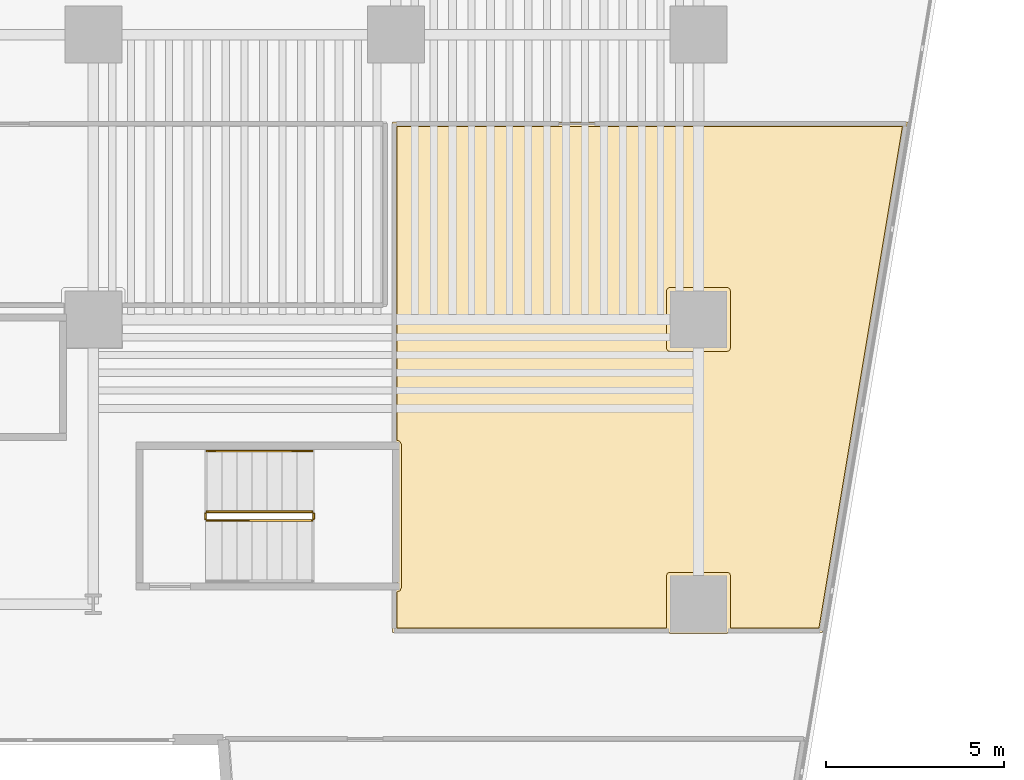
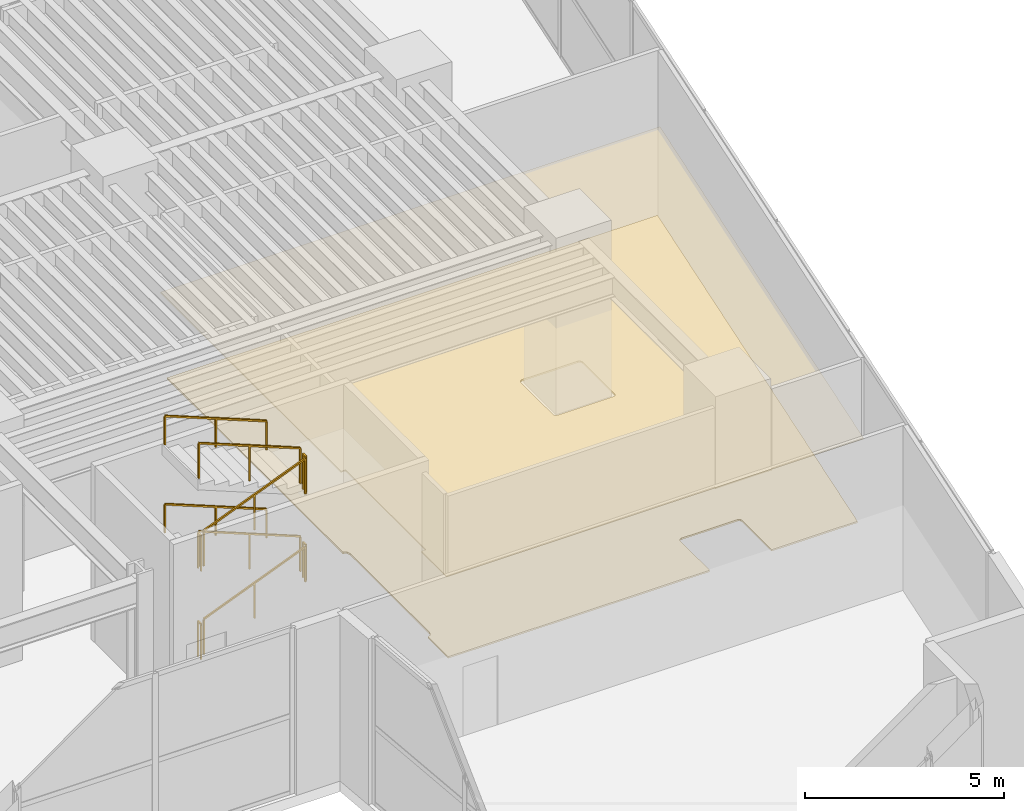
# One storey, part 15 of 16: 10 railings, 2 coverings.
"""IFC4 building model written with IfcOpenShell, lengths in metres."""

import ifcopenshell
import ifcopenshell.guid

model = None  # the IFC model being written
_history = None  # IfcOwnerHistory: only IFC2X3 demands one
_inside = {}  # id of a spatial element -> (the spatial element, [elements in it])
_under = {}  # id of a project, library or spatial element -> (it, [spatial elements below it])
_declared = {}  # id of a project -> (the project, [libraries it declares])
_typed = {}  # id of a type object -> (the type object, [elements of that type])
_made_of = {}  # id of a material, layer set ... -> (it, [elements and type objects made of it])


def new_model(schema):
    """Start an empty IFC model of exactly this schema.

    Asked for "IFC4X3", IfcOpenShell would pick the latest addendum, in which some entities
    have other attributes; the version numbers below select the first issue.
    IFC2X3 requires an IfcOwnerHistory on every rooted entity: one is made here for all.
    """
    global model, _history
    if schema == "IFC4X3":
        model = ifcopenshell.file(schema_version=(4, 3, 0, 0))
    else:
        model = ifcopenshell.file(schema=schema)
    _inside.clear()
    _under.clear()
    _declared.clear()
    _typed.clear()
    _made_of.clear()
    _history = None
    if model.schema == "IFC2X3":
        org = make("IfcOrganization", Name="unknown")
        user = make(
            "IfcPersonAndOrganization",
            ThePerson=make("IfcPerson", FamilyName="unknown"),
            TheOrganization=org,
        )
        app = make(
            "IfcApplication",
            ApplicationDeveloper=org,
            Version="unknown",
            ApplicationFullName="unknown",
            ApplicationIdentifier="unknown",
        )
        _history = make(
            "IfcOwnerHistory",
            OwningUser=user,
            OwningApplication=app,
            ChangeAction="ADDED",
            CreationDate=0,
        )
    return model


def make(cls, **values):
    """One entity of the class cls with the attributes given. An attribute that is None is left unset."""
    return model.create_entity(
        cls, **{name: value for name, value in values.items() if value is not None}
    )


def rooted(cls, **values):
    """An entity with a GlobalId (a new one), such as an element, a storey or a relation."""
    return make(cls, GlobalId=ifcopenshell.guid.new(), OwnerHistory=_history, **values)


def si_unit(unit_type, name, prefix=None):
    """IfcSIUnit, for example si_unit("LENGTHUNIT", "METRE", prefix="MILLI")."""
    return make("IfcSIUnit", UnitType=unit_type, Prefix=prefix, Name=name)


def assignment(units):
    """IfcUnitAssignment: the units of a project."""
    return None if units is None else make("IfcUnitAssignment", Units=units)


def point(xyz):
    """IfcCartesianPoint."""
    return None if xyz is None else make("IfcCartesianPoint", Coordinates=xyz)


def direction(xyz):
    """IfcDirection."""
    return None if xyz is None else make("IfcDirection", DirectionRatios=xyz)


def frame(location, z_axis=None, x_axis=None):
    """IfcAxis2Placement3D, a coordinate frame: its origin and axes. An axis left out is left unset."""
    return make(
        "IfcAxis2Placement3D",
        Location=point(location),
        Axis=direction(z_axis),
        RefDirection=direction(x_axis),
    )


def frame_2d(location, x_axis=None):
    """IfcAxis2Placement2D, a coordinate frame in the plane: its origin and x axis."""
    return make(
        "IfcAxis2Placement2D", Location=point(location), RefDirection=direction(x_axis)
    )


def origin():
    """The frame at (0, 0, 0) with its axes left unset."""
    return frame((0.0, 0.0, 0.0))


def origin_2d():
    """The frame at (0, 0) in the plane with its x axis left unset."""
    return frame_2d((0.0, 0.0))


def place(relative_to, where):
    """IfcLocalPlacement: puts the frame where relative to a parent placement (None: the world)."""
    return make(
        "IfcLocalPlacement", PlacementRelTo=relative_to, RelativePlacement=where
    )


def context(
    kind, dimensions, precision=None, world=None, true_north=None, identifier=None
):
    """IfcGeometricRepresentationContext, for example the 3D "Model" context."""
    return make(
        "IfcGeometricRepresentationContext",
        ContextIdentifier=identifier,
        ContextType=kind,
        CoordinateSpaceDimension=dimensions,
        Precision=precision,
        WorldCoordinateSystem=world,
        TrueNorth=true_north,
    )


def subcontext(parent, identifier, kind, view, scale=None):
    """IfcGeometricRepresentationSubContext, for example "Body" below "Model"."""
    return make(
        "IfcGeometricRepresentationSubContext",
        ContextIdentifier=identifier,
        ContextType=kind,
        ParentContext=parent,
        TargetScale=scale,
        TargetView=view,
    )


def project(units=None, contexts=None):
    """IfcProject with its units and contexts."""
    return rooted(
        "IfcProject",
        Name="project",
        RepresentationContexts=contexts,
        UnitsInContext=assignment(units),
    )


def spatial(cls, under=None, at=None, **own):
    """A site, building, storey or space (cls), placed at a placement, below another one or the project."""
    s = rooted(cls, ObjectPlacement=at, **own)
    if under is not None:
        _under.setdefault(under.id(), (under, []))[1].append(s)
    return s


def polyline(points):
    """IfcPolyline through the points."""
    return make("IfcPolyline", Points=[point(p) for p in points])


def profile(cls, at=None, kind="AREA", **sizes):
    """A parametric profile (cls). Its sizes go by their IFC names, for example OverallWidth=200.0."""
    return make(cls, ProfileType=kind, Position=at, **sizes)


def rectangle(**sizes):
    """IfcRectangleProfileDef."""
    return profile("IfcRectangleProfileDef", **sizes)


def outline(outer, holes=None, kind="AREA"):
    """IfcArbitraryClosedProfileDef: a profile drawn as a closed curve; with holes, ...WithVoids."""
    if holes is None:
        return make("IfcArbitraryClosedProfileDef", ProfileType=kind, OuterCurve=outer)
    return make(
        "IfcArbitraryProfileDefWithVoids",
        ProfileType=kind,
        OuterCurve=outer,
        InnerCurves=holes,
    )


def extrude(swept, where, along, depth):
    """IfcExtrudedAreaSolid: the profile swept, set in the frame where, extruded along a direction by depth."""
    return make(
        "IfcExtrudedAreaSolid",
        SweptArea=swept,
        Position=where,
        ExtrudedDirection=direction(along),
        Depth=depth,
    )


def shape(context_of_items, identifier, shape_type, items):
    """IfcShapeRepresentation: the items that make up one representation, for example the "Body"."""
    return make(
        "IfcShapeRepresentation",
        ContextOfItems=context_of_items,
        RepresentationIdentifier=identifier,
        RepresentationType=shape_type,
        Items=items,
    )


def material(Name=None, Category=None):
    """IfcMaterial."""
    return make("IfcMaterial", Name=Name, Category=Category)


def layer(
    of_material, thickness, ventilated=None, Name=None, Category=None, Priority=None
):
    """IfcMaterialLayer: one layer of a wall or slab, of a material (None: an air gap)."""
    return make(
        "IfcMaterialLayer",
        Material=of_material,
        LayerThickness=thickness,
        IsVentilated=ventilated,
        Name=Name,
        Category=Category,
        Priority=Priority,
    )


def layer_set(layers, Name=None):
    """IfcMaterialLayerSet."""
    return make("IfcMaterialLayerSet", MaterialLayers=layers, LayerSetName=Name)


def made_of(thing, what):
    """Note that an element or type object is made of a material, layer set ...; save() writes the relation."""
    if what is not None:
        _made_of.setdefault(what.id(), (what, []))[1].append(thing)
    return thing


def type_object(cls, material=None, **own):
    """A type object (cls), such as IfcWallType, which elements share."""
    return made_of(rooted(cls, **own), material)


def element(
    cls,
    number,
    at=None,
    inside=None,
    cuts=None,
    type_object=None,
    material=None,
    context=None,
    identifier="Body",
    shape_type=None,
    held_by="IfcProductDefinitionShape",
    body=None,
    shapes=None,
    **own,
):
    """One element of the class cls, such as IfcWall. Its Tag is "e" and its number.

    at: its placement. inside: the storey or other place that contains it. cuts: it is an
    opening in that element (IfcRelVoidsElement). A single representation is given by context,
    identifier, shape_type and body (its items); several are given by shapes. held_by: the class
    of the entity that holds the representations. save() writes the other relations.
    """
    e = rooted(cls, Tag="e%d" % number, ObjectPlacement=at, **own)
    if body is not None:
        shapes = [shape(context, identifier, shape_type, body)]
    if shapes is not None:
        e.Representation = make(held_by, Representations=shapes)
    if inside is not None:
        _inside.setdefault(inside.id(), (inside, []))[1].append(e)
    if cuts is not None:
        rooted(
            "IfcRelVoidsElement", RelatingBuildingElement=cuts, RelatedOpeningElement=e
        )
    if type_object is not None:
        _typed.setdefault(type_object.id(), (type_object, []))[1].append(e)
    return made_of(e, material)


def aggregate(whole, parts):
    """IfcRelAggregates: a whole, such as a stair, and the parts it consists of."""
    return rooted("IfcRelAggregates", RelatingObject=whole, RelatedObjects=parts)


def save(model, path):
    """Write the relations noted so far, then the file.

    IfcRelAggregates (storeys below a building ...), IfcRelContainedInSpatialStructure (elements
    in a storey), IfcRelDefinesByType, IfcRelAssociatesMaterial and IfcRelDeclares: one each for
    every whole, place, type object, material and project.
    """
    for whole, parts in _under.values():
        aggregate(whole, parts)
    for where, things in _inside.values():
        rooted(
            "IfcRelContainedInSpatialStructure",
            RelatedElements=things,
            RelatingStructure=where,
        )
    for kind, things in _typed.values():
        rooted("IfcRelDefinesByType", RelatedObjects=things, RelatingType=kind)
    for what, things in _made_of.values():
        rooted("IfcRelAssociatesMaterial", RelatedObjects=things, RelatingMaterial=what)
    for by, libraries in _declared.values():
        rooted("IfcRelDeclares", RelatingContext=by, RelatedDefinitions=libraries)
    model.write(path)


model = new_model("IFC4")

# Units and contexts
model_context = context("Model", 3, precision=1e-05, world=origin(), true_north=direction((0.0, 1.0)))
body_context = subcontext(model_context, "Body", "Model", "MODEL_VIEW")
ifc_project = project(units=[si_unit("LENGTHUNIT", "METRE"), si_unit("AREAUNIT", "SQUARE_METRE"), si_unit("VOLUMEUNIT", "CUBIC_METRE"), si_unit("PLANEANGLEUNIT", "RADIAN"), si_unit("MASSUNIT", "GRAM", prefix="KILO")], contexts=[model_context])

# Site, building, storey
site_placement = place(None, origin())
site = spatial("IfcSite", under=ifc_project, at=site_placement, CompositionType="ELEMENT")
building_placement = place(site_placement, origin())
building = spatial("IfcBuilding", under=site, at=building_placement, Name="Caeloran Harvest Quay", CompositionType="ELEMENT")
storey_placement = place(building_placement, frame((0.0, 0.0, 10.800048828125)))
storey = spatial("IfcBuildingStorey", under=building, at=storey_placement, Name="L03", CompositionType="ELEMENT", Elevation=10.800048828125)

# Coverings
ifc_material_1 = material(Name="Perforated Mineral-Fibre Acoustic Ceiling Tile", Category="ceiling")
ifc_layer_1 = layer(ifc_material_1, 0.0400390625, Name="Perforated Mineral-Fibre Acoustic Ceiling Tile")
ifc_layer_set_1 = layer_set([ifc_layer_1], Name="Perforated Mineral-Fibre Acoustic Ceiling Tile")
covering_type_1 = type_object("IfcCoveringType", Name="COV-CEILING-ACOUSTIC", PredefinedType="CEILING", material=ifc_layer_set_1)
covering_1_placement = place(storey_placement, frame((0.0, 0.0, 2.599853515625)))
element("IfcCovering", 1, at=covering_1_placement, inside=storey, type_object=covering_type_1, Name="Sommelier Wine and Cold Pantry Acoustic Ceiling", PredefinedType="CEILING", context=body_context, shape_type="SweptSolid", body=[
    extrude(outline(polyline([(51.820068359375, 14.179931640625), (50.179931640625, 14.179931640625), (50.179931640625, 14.2099609375), (42.409912109375, 14.2099609375), (42.409912109375, 15.4599609375), (42.52392578125, 15.46044921875), (42.5400390625, 15.48095703125), (42.5400390625, 19.468994140625), (42.52392578125, 19.489501953125), (42.409912109375, 19.489990234375), (42.409912109375, 28.5400390625), (56.87109375, 28.5400390625), (54.486083984375, 14.2099609375), (51.820068359375, 14.2099609375), (51.820068359375, 14.179931640625)])), origin(), (0.0, 0.0, 1.0), 0.0400390625),
])
ifc_material_2 = material(Name="Calcium-Sulphate Raised Access Floor and Terrazzo Finish", Category="flooring")
ifc_layer_2 = layer(ifc_material_2, 0.050048828125, Name="Calcium-Sulphate Raised Access Floor and Terrazzo Finish")
ifc_layer_set_2 = layer_set([ifc_layer_2], Name="Calcium-Sulphate Raised Access Floor and Terrazzo Finish")
covering_type_2 = type_object("IfcCoveringType", Name="COV-FLOOR-RAISED", PredefinedType="FLOORING", material=ifc_layer_set_2)
covering_2_placement = place(storey_placement, origin())
element("IfcCovering", 2, at=covering_2_placement, inside=storey, type_object=covering_type_2, Name="Sommelier Wine and Cold Pantry Raised Finish Flooring", PredefinedType="FLOORING", context=body_context, shape_type="SweptSolid", body=[
    extrude(outline(polyline([(42.530029296875, 15.34033203125), (42.62158203125, 15.3837890625), (42.659912109375, 15.47998046875), (42.659912109375, 19.473876953125), (42.62158203125, 19.566162109375), (42.530029296875, 19.609619140625), (42.530029296875, 28.419921875), (56.7294921875, 28.419921875), (54.38427734375, 14.330078125), (51.89501953125, 14.330078125), (51.89501953125, 15.81494140625), (51.876708984375, 15.86572265625), (51.82275390625, 15.89453125), (50.18505859375, 15.89501953125), (50.12841796875, 15.87158203125), (50.10498046875, 15.81494140625), (50.10498046875, 14.330078125), (42.530029296875, 14.330078125), (42.530029296875, 15.34033203125)]), holes=[polyline([(51.89501953125, 23.81494140625), (51.87158203125, 23.87158203125), (51.81494140625, 23.89501953125), (50.18505859375, 23.89501953125), (50.12841796875, 23.87158203125), (50.10498046875, 23.81494140625), (50.10498046875, 22.18505859375), (50.12841796875, 22.12841796875), (50.18505859375, 22.10498046875), (51.81494140625, 22.10498046875), (51.87158203125, 22.12841796875), (51.89501953125, 22.18505859375), (51.89501953125, 23.81494140625)])]), origin(), (0.0, 0.0, 1.0), 0.050048828125),
])

# Railings
ifc_material_3 = material(Name="Painted Steel Baluster and Top-Rail Stair Guard", Category="steel")
ifc_layer_3 = layer(ifc_material_3, 0.050048828125, Name="Painted Steel Baluster and Top-Rail Stair Guard")
ifc_layer_set_3 = layer_set([ifc_layer_3], Name="Painted Steel Baluster and Top-Rail Stair Guard")
railing_type_1 = type_object("IfcRailingType", Name="STAIR-GUARD-1100", PredefinedType="GUARDRAIL", material=ifc_layer_set_3)
railing_1_placement = place(storey_placement, frame((37.199951171875, 17.35009765625, 0.168701171875)))
element("IfcRailing", 3, at=railing_1_placement, inside=storey, type_object=railing_type_1, Name="L03 ST-P2 stair guard 1", PredefinedType="GUARDRAIL", context=body_context, shape_type="SweptSolid", body=[
    extrude(rectangle(XDim=0.048095703125, YDim=0.048095703125, at=origin_2d()), frame((0.0, 0.0, 1.076171875), z_axis=(0.927912314548, 0.0, 0.372798519995), x_axis=(0.0, 1.0, 0.0)), (0.0, 0.0, 1.0), 3.16845703125),
    extrude(rectangle(XDim=0.0419921875, YDim=0.0419921875, at=origin_2d()), origin(), (0.0, 0.0, 1.0), 1.052001953125),
    extrude(rectangle(XDim=0.0419921875, YDim=0.0419921875, at=origin_2d()), frame((1.469970703125, 0.0, 0.590576171875)), (0.0, 0.0, 1.0), 1.052001953125),
    extrude(rectangle(XDim=0.0419921875, YDim=0.0419921875, at=origin_2d()), frame((2.93994140625, 0.0, 1.18115234375)), (0.0, 0.0, 1.0), 1.052001953125),
])
railing_2_placement = place(storey_placement, frame((40.18994140625, 17.39990234375, 1.349853515625)))
element("IfcRailing", 4, at=railing_2_placement, inside=storey, type_object=railing_type_1, Name="L03 ST-P2 stair guard 2", PredefinedType="GUARDRAIL", context=body_context, shape_type="SweptSolid", body=[
    extrude(rectangle(XDim=0.048095703125, YDim=0.048095703125, at=origin_2d()), frame((0.0, 0.0, 1.076171875), z_axis=(0.0, 1.0, 0.0), x_axis=(-1.0, 0.0, 0.0)), (0.0, 0.0, 1.0), 0.150146484375),
    extrude(rectangle(XDim=0.0419921875, YDim=0.0419921875, at=origin_2d()), origin(), (0.0, 0.0, 1.0), 1.052001953125),
    extrude(rectangle(XDim=0.0419921875, YDim=0.0419921875, at=origin_2d()), frame((0.0, 0.150146484375, 0.0)), (0.0, 0.0, 1.0), 1.052001953125),
])
railing_3_placement = place(storey_placement, frame((40.139892578125, 17.60009765625, 1.518798828125)))
element("IfcRailing", 5, at=railing_3_placement, inside=storey, type_object=railing_type_1, Name="L03 ST-P2 stair guard 3", PredefinedType="GUARDRAIL", context=body_context, shape_type="SweptSolid", body=[
    extrude(rectangle(XDim=0.048095703125, YDim=0.048095703125, at=origin_2d()), frame((0.0, 0.0, 1.076171875), z_axis=(-0.927912314548, 0.0, 0.372798519995), x_axis=(0.0, -1.0, 0.0)), (0.0, 0.0, 1.0), 3.16845703125),
    extrude(rectangle(XDim=0.0419921875, YDim=0.0419921875, at=origin_2d()), origin(), (0.0, 0.0, 1.0), 1.052001953125),
    extrude(rectangle(XDim=0.0419921875, YDim=0.0419921875, at=origin_2d()), frame((-1.469970703125, 0.0, 0.590576171875)), (0.0, 0.0, 1.0), 1.052001953125),
    extrude(rectangle(XDim=0.0419921875, YDim=0.0419921875, at=origin_2d()), frame((-2.93994140625, 0.0, 1.18115234375)), (0.0, 0.0, 1.0), 1.052001953125),
])
railing_4_placement = place(storey_placement, frame((37.14990234375, 17.39990234375, 2.699951171875)))
element("IfcRailing", 6, at=railing_4_placement, inside=storey, type_object=railing_type_1, Name="L03 ST-P2 stair guard 4", PredefinedType="GUARDRAIL", context=body_context, shape_type="SweptSolid", body=[
    extrude(rectangle(XDim=0.048095703125, YDim=0.048095703125, at=origin_2d()), frame((0.0, 0.0, 1.076171875), z_axis=(0.0, 1.0, 0.0), x_axis=(-1.0, 0.0, 0.0)), (0.0, 0.0, 1.0), 0.150146484375),
    extrude(rectangle(XDim=0.0419921875, YDim=0.0419921875, at=origin_2d()), origin(), (0.0, 0.0, 1.0), 1.052001953125),
    extrude(rectangle(XDim=0.0419921875, YDim=0.0419921875, at=origin_2d()), frame((0.0, 0.150146484375, 0.0)), (0.0, 0.0, 1.0), 1.052001953125),
])
railing_5_placement = place(storey_placement, frame((37.199951171875, 17.35009765625, 2.86865234375)))
element("IfcRailing", 7, at=railing_5_placement, inside=storey, type_object=railing_type_1, Name="L03 ST-P2 stair guard 5", PredefinedType="GUARDRAIL", context=body_context, shape_type="SweptSolid", body=[
    extrude(rectangle(XDim=0.048095703125, YDim=0.048095703125, at=origin_2d()), frame((0.0, 0.0, 1.076171875), z_axis=(0.927885657282, 0.0, 0.372864864274), x_axis=(0.0, 1.0, 0.0)), (0.0, 0.0, 1.0), 3.16845703125),
    extrude(rectangle(XDim=0.0419921875, YDim=0.0419921875, at=origin_2d()), origin(), (0.0, 0.0, 1.0), 1.052001953125),
    extrude(rectangle(XDim=0.0419921875, YDim=0.0419921875, at=origin_2d()), frame((1.469970703125, 0.0, 0.5908203125)), (0.0, 0.0, 1.0), 1.052001953125),
    extrude(rectangle(XDim=0.0419921875, YDim=0.0419921875, at=origin_2d()), frame((2.93994140625, 0.0, 1.181396484375)), (0.0, 0.0, 1.0), 1.052001953125),
])
railing_6_placement = place(storey_placement, frame((40.18994140625, 17.39990234375, 4.050048828125)))
element("IfcRailing", 8, at=railing_6_placement, inside=storey, type_object=railing_type_1, Name="L03 ST-P2 stair guard 6", PredefinedType="GUARDRAIL", context=body_context, shape_type="SweptSolid", body=[
    extrude(rectangle(XDim=0.048095703125, YDim=0.048095703125, at=origin_2d()), frame((0.0, 0.0, 1.076171875), z_axis=(0.0, 1.0, 0.0), x_axis=(-1.0, 0.0, 0.0)), (0.0, 0.0, 1.0), 0.150146484375),
    extrude(rectangle(XDim=0.0419921875, YDim=0.0419921875, at=origin_2d()), origin(), (0.0, 0.0, 1.0), 1.052001953125),
    extrude(rectangle(XDim=0.0419921875, YDim=0.0419921875, at=origin_2d()), frame((0.0, 0.150146484375, 0.0)), (0.0, 0.0, 1.0), 1.052001953125),
])
railing_7_placement = place(storey_placement, frame((40.139892578125, 17.60009765625, 4.21875)))
element("IfcRailing", 9, at=railing_7_placement, inside=storey, type_object=railing_type_1, Name="L03 ST-P2 stair guard 7", PredefinedType="GUARDRAIL", context=body_context, shape_type="SweptSolid", body=[
    extrude(rectangle(XDim=0.048095703125, YDim=0.048095703125, at=origin_2d()), frame((0.0, 0.0, 1.076171875), z_axis=(-0.927912314548, 0.0, 0.372798519995), x_axis=(0.0, -1.0, 0.0)), (0.0, 0.0, 1.0), 3.16845703125),
    extrude(rectangle(XDim=0.0419921875, YDim=0.0419921875, at=origin_2d()), origin(), (0.0, 0.0, 1.0), 1.052001953125),
    extrude(rectangle(XDim=0.0419921875, YDim=0.0419921875, at=origin_2d()), frame((-1.469970703125, 0.0, 0.590576171875)), (0.0, 0.0, 1.0), 1.052001953125),
    extrude(rectangle(XDim=0.0419921875, YDim=0.0419921875, at=origin_2d()), frame((-2.93994140625, 0.0, 1.18115234375)), (0.0, 0.0, 1.0), 1.052001953125),
])
railing_8_placement = place(storey_placement, frame((37.14990234375, 17.39990234375, 0.0)))
element("IfcRailing", 10, at=railing_8_placement, inside=storey, type_object=railing_type_1, Name="L03 ST-P2 stair guard 8", PredefinedType="GUARDRAIL", context=body_context, shape_type="SweptSolid", body=[
    extrude(rectangle(XDim=0.048095703125, YDim=0.048095703125, at=origin_2d()), frame((0.0, 0.0, 1.076171875), z_axis=(0.0, 1.0, 0.0), x_axis=(-1.0, 0.0, 0.0)), (0.0, 0.0, 1.0), 0.150146484375),
    extrude(rectangle(XDim=0.0419921875, YDim=0.0419921875, at=origin_2d()), origin(), (0.0, 0.0, 1.0), 1.052001953125),
    extrude(rectangle(XDim=0.0419921875, YDim=0.0419921875, at=origin_2d()), frame((0.0, 0.150146484375, 0.0)), (0.0, 0.0, 1.0), 1.052001953125),
])
ifc_material_4 = material(Name="Brushed Stainless Steel Grade 304", Category="steel")
ifc_layer_4 = layer(ifc_material_4, 0.050048828125, Name="Brushed Stainless Steel Grade 304")
ifc_layer_set_4 = layer_set([ifc_layer_4], Name="Brushed Stainless Steel Grade 304")
railing_type_2 = type_object("IfcRailingType", Name="STAIR-HANDRAIL-900", PredefinedType="HANDRAIL", material=ifc_layer_set_4)
for number, where, name in (
    (11, (40.139892578125, 19.300048828125, 1.518798828125), "L03 ST-P2 stair handrail 2"),
    (12, (40.139892578125, 19.300048828125, 4.21875), "L03 ST-P2 stair handrail 4"),
):
    element("IfcRailing", number, at=place(storey_placement, frame(where)), inside=storey, type_object=railing_type_2, Name=name, PredefinedType="HANDRAIL", context=body_context, shape_type="SweptSolid", body=[
        extrude(rectangle(XDim=0.048095703125, YDim=0.048095703125, at=origin_2d()), frame((0.0, 0.0, 0.8759765625), z_axis=(-0.927912314548, 0.0, 0.372798519995), x_axis=(0.0, -1.0, 0.0)), (0.0, 0.0, 1.0), 3.16845703125),
        extrude(rectangle(XDim=0.0419921875, YDim=0.0419921875, at=origin_2d()), origin(), (0.0, 0.0, 1.0), 0.851806640625),
        extrude(rectangle(XDim=0.0419921875, YDim=0.0419921875, at=origin_2d()), frame((-1.469970703125, 0.0, 0.590576171875)), (0.0, 0.0, 1.0), 0.851806640625),
        extrude(rectangle(XDim=0.0419921875, YDim=0.0419921875, at=origin_2d()), frame((-2.93994140625, 0.0, 1.18115234375)), (0.0, 0.0, 1.0), 0.851806640625),
    ])

save(model, "model.ifc")
